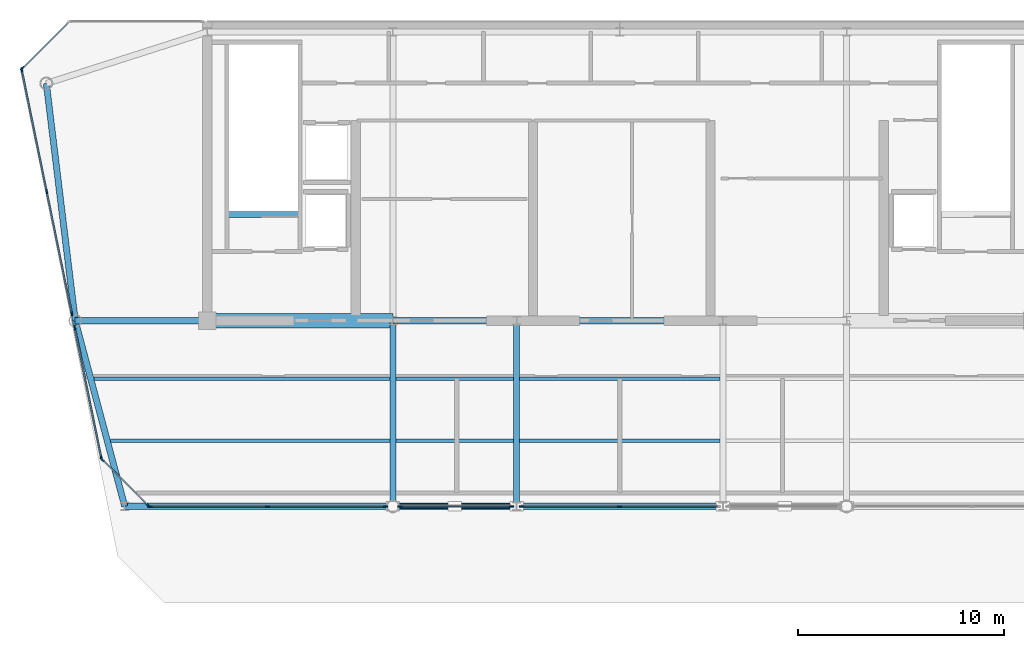
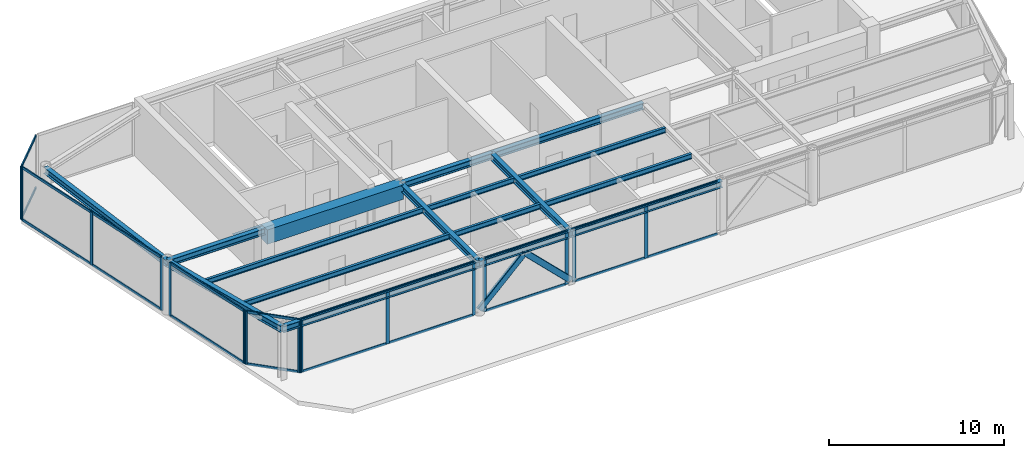
# One storey, part 2 of 7: 37 members, 18 beams, 7 elements without a shape of their own.
"""IFC4 building model written with IfcOpenShell, lengths in metres."""

from ifc_helpers import new_model, si_unit, direction, frame, origin, origin_2d, place, context, subcontext, project, spatial, rectangle, hollow_rectangle, i_section, extrude, source, transform, mapped, material, layer, layer_set, material_profile, profile_set, type_object, element, aggregate, save


model = new_model("IFC4")

# Units and contexts
model_context = context("Model", 3, precision=1e-05, world=origin(), true_north=direction((0.0, 1.0)))
body_context = subcontext(model_context, "Body", "Model", "MODEL_VIEW")
ifc_project = project(units=[si_unit("LENGTHUNIT", "METRE"), si_unit("AREAUNIT", "SQUARE_METRE"), si_unit("VOLUMEUNIT", "CUBIC_METRE"), si_unit("PLANEANGLEUNIT", "RADIAN"), si_unit("MASSUNIT", "GRAM", prefix="KILO")], contexts=[model_context])

# Site, building, storey
site_placement = place(None, origin())
site = spatial("IfcSite", under=ifc_project, at=site_placement, CompositionType="ELEMENT")
building_placement = place(site_placement, origin())
building = spatial("IfcBuilding", under=site, at=building_placement, Name="Vaeldorn Concourse Tower", CompositionType="ELEMENT")
storey_placement = place(building_placement, frame((0.0, 0.0, 312.800048828125)))
storey = spatial("IfcBuildingStorey", under=building, at=storey_placement, Name="L80", CompositionType="ELEMENT", Elevation=312.800048828125)

# Beams
ifc_material_1 = material(Name="Concrete C50/60", Category="concrete")
ifc_material_profile_1 = material_profile(ifc_material_1, rectangle(XDim=0.699951171875, YDim=1.0, at=origin_2d()), Name="RC 700x1000")
ifc_profile_set_1 = profile_set([ifc_material_profile_1], Name="Concrete C50/60")
beam_type_1 = type_object("IfcBeamType", Name="BM-CB-RC700", PredefinedType="BEAM", material=ifc_profile_set_1)
shared_shape_1 = source(origin(), body_context, "Body", "SweptSolid", [
    extrude(rectangle(XDim=0.699951171875, YDim=1.0, at=origin_2d()), origin(), (0.0, 0.0, 1.0), 9.0),
])
beam_1_placement = place(storey_placement, frame((14.0, 36.5, 3.199951171875), z_axis=(1.0, 0.0, 0.0), x_axis=(0.0, 1.0, 0.0)))
element("IfcBeam", 1, at=beam_1_placement, inside=storey, type_object=beam_type_1, Name="Core Coupling Beam L80-1", PredefinedType="BEAM", context=body_context, shape_type="MappedRepresentation", body=[
    mapped(shared_shape_1, transform((0.0, 0.0, 0.0), scale=1.0)),
])
ifc_material_2 = material(Name="Steel S355", Category="steel")
ifc_material_profile_2 = material_profile(ifc_material_2, i_section(OverallWidth=0.300048828125, OverallDepth=0.449951171875, WebThickness=0.013916015625, FlangeThickness=0.02587890625, FilletRadius=0.027099609375, at=origin_2d()), Name="HEB 450")
ifc_profile_set_2 = profile_set([ifc_material_profile_2], Name="Steel S355")
beam_type_2 = type_object("IfcBeamType", Name="BM-PG-HEB450", PredefinedType="BEAM", material=ifc_profile_set_2)
shared_shape_2 = source(origin(), body_context, "Body", "SweptSolid", [
    extrude(i_section(OverallWidth=0.300048828125, OverallDepth=0.449951171875, WebThickness=0.013916015625, FlangeThickness=0.02587890625, FilletRadius=0.027099609375, at=origin_2d()), origin(), (0.0, 0.0, 1.0), 6.0),
])
for number, where, z_axis, x_axis, name in (
    (2, (23.0, 36.5, 3.474853515625), (1.0, 0.0, 0.0), (0.0, 1.0, 0.0), "Beam BM-L80-C-FC2-C-FC3"),
    (3, (23.0, 27.5, 3.474853515625), (1.0, 0.0, 0.0), (0.0, 1.0, 0.0), "Beam BM-L80-C-TW1-C-TW2"),
):
    element("IfcBeam", number, at=place(storey_placement, frame(where, z_axis=z_axis, x_axis=x_axis)), inside=storey, type_object=beam_type_2, Name=name, PredefinedType="BEAM", context=body_context, shape_type="MappedRepresentation", body=[
        mapped(shared_shape_2, transform((0.0, 0.0, 0.0), scale=1.0)),
    ])
shared_shape_3 = source(origin(), body_context, "Body", "SweptSolid", [
    extrude(i_section(OverallWidth=0.300048828125, OverallDepth=0.449951171875, WebThickness=0.013916015625, FlangeThickness=0.02587890625, FilletRadius=0.027099609375, at=origin_2d()), origin(), (0.0, 0.0, 1.0), 10.0),
])
for number, where, z_axis, x_axis, name in (
    (4, (29.0, 36.5, 3.474853515625), (1.0, 0.0, 0.0), (0.0, 1.0, 0.0), "Beam BM-L80-C-FC3-C-FC4"),
    (5, (29.0, 27.5, 3.474853515625), (1.0, 0.0, 0.0), (0.0, 1.0, 0.0), "Beam BM-L80-C-TW2-C-TW3"),
):
    element("IfcBeam", number, at=place(storey_placement, frame(where, z_axis=z_axis, x_axis=x_axis)), inside=storey, type_object=beam_type_2, Name=name, PredefinedType="BEAM", context=body_context, shape_type="MappedRepresentation", body=[
        mapped(shared_shape_3, transform((0.0, 0.0, 0.0), scale=1.0)),
    ])
ifc_material_profile_3 = material_profile(ifc_material_2, i_section(OverallWidth=0.300048828125, OverallDepth=0.340087890625, WebThickness=0.011962890625, FlangeThickness=0.021484375, FilletRadius=0.027099609375, at=origin_2d()), Name="HEB 340")
ifc_profile_set_3 = profile_set([ifc_material_profile_3], Name="Steel S355")
beam_type_3 = type_object("IfcBeamType", Name="BM-ST-TRIM", PredefinedType="BEAM", material=ifc_profile_set_3)
shared_shape_4 = source(origin(), body_context, "Body", "SweptSolid", [
    extrude(i_section(OverallWidth=0.300048828125, OverallDepth=0.340087890625, WebThickness=0.011962890625, FlangeThickness=0.021484375, FilletRadius=0.027099609375, at=origin_2d()), origin(), (0.0, 0.0, 1.0), 3.590087890625),
])
beam_2_placement = place(storey_placement, frame((14.929931640625, 41.639892578125, -0.469970703125), z_axis=(1.0, 0.0, 0.0), x_axis=(0.0, 1.0, 0.0)))
element("IfcBeam", 6, at=beam_2_placement, inside=storey, type_object=beam_type_3, Name="Stair Landing Trimmer Beam ST-1 L80", PredefinedType="BEAM", context=body_context, shape_type="MappedRepresentation", body=[
    mapped(shared_shape_4, transform((0.0, 0.0, 0.0), scale=1.0)),
])
ifc_material_profile_4 = material_profile(ifc_material_2, i_section(OverallWidth=0.169921875, OverallDepth=0.360107421875, WebThickness=0.008056640625, FlangeThickness=0.0126953125, FilletRadius=0.01806640625, at=origin_2d()), Name="IPE 360")
ifc_profile_set_4 = profile_set([ifc_material_profile_4], Name="Steel S355")
beam_type_4 = type_object("IfcBeamType", Name="BM-JS-IPE360", PredefinedType="JOIST", material=ifc_profile_set_4)
shared_shape_5 = source(origin(), body_context, "Body", "SweptSolid", [
    extrude(i_section(OverallWidth=0.169921875, OverallDepth=0.360107421875, WebThickness=0.008056640625, FlangeThickness=0.0126953125, FilletRadius=0.01806640625, at=origin_2d()), origin(), (0.0, 0.0, 1.0), 5.7001953125),
])
for number, where, z_axis, x_axis, name in (
    (7, (23.14990234375, 30.679931640625, 3.52001953125), (1.0, 0.0, 0.0), (0.0, 1.0, 0.0), "Beam JS-L80-W2-306"),
    (8, (23.14990234375, 33.679931640625, 3.52001953125), (1.0, 0.0, 0.0), (0.0, 1.0, 0.0), "Beam JS-L80-W2-336"),
):
    element("IfcBeam", number, at=place(storey_placement, frame(where, z_axis=z_axis, x_axis=x_axis)), inside=storey, type_object=beam_type_4, Name=name, PredefinedType="JOIST", context=body_context, shape_type="MappedRepresentation", body=[
        mapped(shared_shape_5, transform((0.0, 0.0, 0.0), scale=1.0)),
    ])
shared_shape_6 = source(origin(), body_context, "Body", "SweptSolid", [
    extrude(i_section(OverallWidth=0.169921875, OverallDepth=0.360107421875, WebThickness=0.008056640625, FlangeThickness=0.0126953125, FilletRadius=0.01806640625, at=origin_2d()), origin(), (0.0, 0.0, 1.0), 9.7001953125),
])
for number, where, z_axis, x_axis, name in (
    (9, (29.14990234375, 30.679931640625, 3.52001953125), (1.0, 0.0, 0.0), (0.0, 1.0, 0.0), "Beam JS-L80-C-306"),
    (10, (29.14990234375, 33.679931640625, 3.52001953125), (1.0, 0.0, 0.0), (0.0, 1.0, 0.0), "Beam JS-L80-C-336"),
):
    element("IfcBeam", number, at=place(storey_placement, frame(where, z_axis=z_axis, x_axis=x_axis)), inside=storey, type_object=beam_type_4, Name=name, PredefinedType="JOIST", context=body_context, shape_type="MappedRepresentation", body=[
        mapped(shared_shape_6, transform((0.0, 0.0, 0.0), scale=1.0)),
    ])
shared_shape_7 = source(origin(), body_context, "Body", "SweptSolid", [
    extrude(i_section(OverallWidth=0.169921875, OverallDepth=0.360107421875, WebThickness=0.008056640625, FlangeThickness=0.0126953125, FilletRadius=0.01806640625, at=origin_2d()), origin(), (0.0, 0.0, 1.0), 13.548095703125),
])
beam_3_placement = place(storey_placement, frame((9.302001953125, 30.679931640625, 3.52001953125), z_axis=(1.0, 0.0, 0.0), x_axis=(0.0, 1.0, 0.0)))
element("IfcBeam", 11, at=beam_3_placement, inside=storey, type_object=beam_type_4, Name="Beam JS-L80-W1-306", PredefinedType="JOIST", context=body_context, shape_type="MappedRepresentation", body=[
    mapped(shared_shape_7, transform((0.0, 0.0, 0.0), scale=1.0)),
])
shared_shape_8 = source(origin(), body_context, "Body", "SweptSolid", [
    extrude(i_section(OverallWidth=0.169921875, OverallDepth=0.360107421875, WebThickness=0.008056640625, FlangeThickness=0.0126953125, FilletRadius=0.01806640625, at=origin_2d()), origin(), (0.0, 0.0, 1.0), 14.34814453125),
])
beam_4_placement = place(storey_placement, frame((8.501953125, 33.679931640625, 3.52001953125), z_axis=(1.0, 0.0, 0.0), x_axis=(0.0, 1.0, 0.0)))
element("IfcBeam", 12, at=beam_4_placement, inside=storey, type_object=beam_type_4, Name="Beam JS-L80-W1-336", PredefinedType="JOIST", context=body_context, shape_type="MappedRepresentation", body=[
    mapped(shared_shape_8, transform((0.0, 0.0, 0.0), scale=1.0)),
])
shared_shape_9 = source(origin(), body_context, "Body", "SweptSolid", [
    extrude(i_section(OverallWidth=0.300048828125, OverallDepth=0.449951171875, WebThickness=0.013916015625, FlangeThickness=0.02587890625, FilletRadius=0.027099609375, at=origin_2d()), origin(), (0.0, 0.0, 1.0), 9.0),
])
for number, where, z_axis, x_axis, name in (
    (13, (23.0, 27.5, 3.474853515625), (0.0, 1.0, 0.0), (-1.0, 0.0, 0.0), "Beam BM-L80-C-TW1-C-FC2"),
    (14, (29.0, 27.5, 3.474853515625), (0.0, 1.0, 0.0), (-1.0, 0.0, 0.0), "Beam BM-L80-C-TW2-C-FC3"),
):
    element("IfcBeam", number, at=place(storey_placement, frame(where, z_axis=z_axis, x_axis=x_axis)), inside=storey, type_object=beam_type_2, Name=name, PredefinedType="BEAM", context=body_context, shape_type="MappedRepresentation", body=[
        mapped(shared_shape_9, transform((0.0, 0.0, 0.0), scale=1.0)),
    ])
shared_shape_10 = source(origin(), body_context, "Body", "SweptSolid", [
    extrude(i_section(OverallWidth=0.300048828125, OverallDepth=0.449951171875, WebThickness=0.013916015625, FlangeThickness=0.02587890625, FilletRadius=0.027099609375, at=origin_2d()), origin(), (0.0, 0.0, 1.0), 11.5849609375),
])
beam_5_placement = place(storey_placement, frame((6.199951171875, 48.0, 3.474853515625), z_axis=(0.120859382899, -0.992669637677, 0.0), x_axis=(0.992669637677, 0.120859382899, 0.0)))
element("IfcBeam", 15, at=beam_5_placement, inside=storey, type_object=beam_type_2, Name="Beam BM-L80-C-NW1-C-NW2", PredefinedType="BEAM", context=body_context, shape_type="MappedRepresentation", body=[
    mapped(shared_shape_10, transform((0.0, 0.0, 0.0), scale=1.0)),
])
shared_shape_11 = source(origin(), body_context, "Body", "SweptSolid", [
    extrude(i_section(OverallWidth=0.300048828125, OverallDepth=0.449951171875, WebThickness=0.013916015625, FlangeThickness=0.02587890625, FilletRadius=0.027099609375, at=origin_2d()), origin(), (0.0, 0.0, 1.0), 6.39990234375),
])
beam_6_placement = place(storey_placement, frame((7.60009765625, 36.5, 3.474853515625), z_axis=(1.0, 0.0, 0.0), x_axis=(0.0, 1.0, 0.0)))
element("IfcBeam", 16, at=beam_6_placement, inside=storey, type_object=beam_type_2, Name="Beam BM-L80-C-NW2-C-FC1", PredefinedType="BEAM", context=body_context, shape_type="MappedRepresentation", body=[
    mapped(shared_shape_11, transform((0.0, 0.0, 0.0), scale=1.0)),
])
shared_shape_12 = source(origin(), body_context, "Body", "SweptSolid", [
    extrude(i_section(OverallWidth=0.300048828125, OverallDepth=0.449951171875, WebThickness=0.013916015625, FlangeThickness=0.02587890625, FilletRadius=0.027099609375, at=origin_2d()), origin(), (0.0, 0.0, 1.0), 9.314453125),
])
beam_7_placement = place(storey_placement, frame((7.60009765625, 36.5, 3.474853515625), z_axis=(0.257652862255, -0.966237549763, 0.0), x_axis=(0.966237549763, 0.257652862255, 0.0)))
element("IfcBeam", 17, at=beam_7_placement, inside=storey, type_object=beam_type_2, Name="Beam BM-L80-C-NW2-C-FLW1", PredefinedType="BEAM", context=body_context, shape_type="MappedRepresentation", body=[
    mapped(shared_shape_12, transform((0.0, 0.0, 0.0), scale=1.0)),
])
shared_shape_13 = source(origin(), body_context, "Body", "SweptSolid", [
    extrude(i_section(OverallWidth=0.300048828125, OverallDepth=0.449951171875, WebThickness=0.013916015625, FlangeThickness=0.02587890625, FilletRadius=0.027099609375, at=origin_2d()), origin(), (0.0, 0.0, 1.0), 13.0),
])
beam_8_placement = place(storey_placement, frame((10.0, 27.5, 3.474853515625), z_axis=(1.0, 0.0, 0.0), x_axis=(0.0, 1.0, 0.0)))
element("IfcBeam", 18, at=beam_8_placement, inside=storey, type_object=beam_type_2, Name="Beam BM-L80-C-FLW1-C-TW1", PredefinedType="BEAM", context=body_context, shape_type="MappedRepresentation", body=[
    mapped(shared_shape_13, transform((0.0, 0.0, 0.0), scale=1.0)),
])

# Members
ifc_material_profile_5 = material_profile(ifc_material_2, hollow_rectangle(XDim=0.199951171875, YDim=0.39990234375, WallThickness=0.01611328125, InnerFilletRadius=0.01611328125, OuterFilletRadius=0.031982421875, at=origin_2d()), Name="RHS 400x200x16")
ifc_profile_set_5 = profile_set([ifc_material_profile_5], Name="Steel S355")
member_type_1 = type_object("IfcMemberType", Name="MB-CRN-STRUT", PredefinedType="STRUT", material=ifc_profile_set_5)
shared_shape_14 = source(origin(), body_context, "Body", "SweptSolid", [
    extrude(hollow_rectangle(XDim=0.199951171875, YDim=0.39990234375, WallThickness=0.01611328125, InnerFilletRadius=0.01611328125, OuterFilletRadius=0.031982421875, at=origin_2d()), origin(), (0.0, 0.0, 1.0), 4.20751953125),
])
for number, where, z_axis, x_axis, name in (
    (19, (23.0, 27.5, 0.25), (0.713029481615, 0.0, 0.701134051624), (0.0, 1.0, 0.0), "Crown Frame Brace Strut L80-1A"),
    (20, (29.0, 27.5, 0.25), (-0.713029481615, 0.0, 0.701134051624), (0.0, -1.0, 0.0), "Crown Frame Brace Strut L80-1B"),
):
    element("IfcMember", number, at=place(storey_placement, frame(where, z_axis=z_axis, x_axis=x_axis)), inside=storey, type_object=member_type_1, Name=name, PredefinedType="STRUT", context=body_context, shape_type="MappedRepresentation", body=[
        mapped(shared_shape_14, transform((0.0, 0.0, 0.0), scale=1.0)),
    ])

# Curtain wall, members
ifc_material_3 = material(Name="Anodised Bronze Aluminium", Category="aluminium")
ifc_layer = layer(ifc_material_3, 0.22998046875)
ifc_layer_set = layer_set([ifc_layer], Name="Anodised Bronze Aluminium")
curtain_wall_type = type_object("IfcCurtainWallType", Name="CW-SYS-07", PredefinedType="NOTDEFINED", material=ifc_layer_set)
curtain_wall_1_placement = place(storey_placement, origin())
curtain_wall_1 = element("IfcCurtainWall", 21, at=curtain_wall_1_placement, inside=storey, type_object=curtain_wall_type, Name="Unitised Curtain Wall CW-L80-E06-1", PredefinedType="NOTDEFINED")
ifc_material_profile_6 = material_profile(ifc_material_3, rectangle(XDim=0.074951171875, YDim=0.179931640625, at=origin_2d()), Name="CWT 75x180")
ifc_profile_set_6 = profile_set([ifc_material_profile_6], Name="Anodised Bronze Aluminium")
member_type_2 = type_object("IfcMemberType", Name="CWT-BRONZE-180", PredefinedType="USERDEFINED", material=ifc_profile_set_6)
shared_shape_15 = source(origin(), body_context, "Body", "SweptSolid", [
    extrude(rectangle(XDim=0.074951171875, YDim=0.179931640625, at=origin_2d()), origin(), (0.0, 0.0, 1.0), 3.10302734375),
])
member_1_placement = place(storey_placement, frame((7.2470703125, 50.947021484375, 0.037353515625), z_axis=(-0.707106781187, -0.707106781187, 0.0), x_axis=(0.707106781187, -0.707106781187, 0.0)))
member_1 = element("IfcMember", 22, at=member_1_placement, type_object=member_type_2, Name="CW-07 transom 1.1", ObjectType="TRANSOM", PredefinedType="USERDEFINED", context=body_context, shape_type="MappedRepresentation", body=[
    mapped(shared_shape_15, transform((0.0, 0.0, 0.0), scale=1.0)),
])
member_2_placement = place(storey_placement, frame((7.2470703125, 50.947021484375, 3.662353515625), z_axis=(-0.707106781187, -0.707106781187, 0.0), x_axis=(0.707106781187, -0.707106781187, 0.0)))
member_2 = element("IfcMember", 23, at=member_2_placement, type_object=member_type_2, Name="CW-07 transom 1.2", ObjectType="TRANSOM", PredefinedType="USERDEFINED", context=body_context, shape_type="MappedRepresentation", body=[
    mapped(shared_shape_15, transform((0.0, 0.0, 0.0), scale=1.0)),
])

curtain_wall_2_placement = place(storey_placement, origin())
curtain_wall_2 = element("IfcCurtainWall", 24, at=curtain_wall_2_placement, inside=storey, type_object=curtain_wall_type, Name="Unitised Curtain Wall CW-L80-E08-1", PredefinedType="NOTDEFINED")
member_3_placement = place(storey_placement, frame((8.930419921875, 29.7470703125, 0.037353515625), z_axis=(0.707106781187, -0.707106781187, 0.0), x_axis=(0.707106781187, 0.707106781187, 0.0)))
member_3 = element("IfcMember", 25, at=member_3_placement, type_object=member_type_2, Name="CW-07 transom 1.1", ObjectType="TRANSOM", PredefinedType="USERDEFINED", context=body_context, shape_type="MappedRepresentation", body=[
    mapped(shared_shape_15, transform((0.0, 0.0, 0.0), scale=1.0)),
])
member_4_placement = place(storey_placement, frame((8.930419921875, 29.7470703125, 3.662353515625), z_axis=(0.707106781187, -0.707106781187, 0.0), x_axis=(0.707106781187, 0.707106781187, 0.0)))
member_4 = element("IfcMember", 26, at=member_4_placement, type_object=member_type_2, Name="CW-07 transom 1.2", ObjectType="TRANSOM", PredefinedType="USERDEFINED", context=body_context, shape_type="MappedRepresentation", body=[
    mapped(shared_shape_15, transform((0.0, 0.0, 0.0), scale=1.0)),
])

curtain_wall_3_placement = place(storey_placement, origin())
curtain_wall_3 = element("IfcCurtainWall", 27, at=curtain_wall_3_placement, inside=storey, type_object=curtain_wall_type, Name="Unitised Curtain Wall CW-L80-E01-1", PredefinedType="NOTDEFINED")
ifc_material_profile_7 = material_profile(ifc_material_3, rectangle(XDim=0.074951171875, YDim=0.219970703125, at=origin_2d()), Name="CWM 75x220")
ifc_profile_set_7 = profile_set([ifc_material_profile_7], Name="Anodised Bronze Aluminium")
member_type_3 = type_object("IfcMemberType", Name="CWM-BRONZE-220", PredefinedType="MULLION", material=ifc_profile_set_7)
shared_shape_16 = source(origin(), body_context, "Body", "SweptSolid", [
    extrude(rectangle(XDim=0.074951171875, YDim=0.219970703125, at=origin_2d()), origin(), (0.0, 0.0, 1.0), 3.699951171875),
])
member_5_placement = place(storey_placement, frame((11.215087890625, 27.5, 0.0), z_axis=(0.0, 0.0, 1.0), x_axis=(0.0, 1.0, 0.0)))
member_5 = element("IfcMember", 28, at=member_5_placement, type_object=member_type_3, Name="CW-07 mullion 1", PredefinedType="MULLION", context=body_context, shape_type="MappedRepresentation", body=[
    mapped(shared_shape_16, transform((0.0, 0.0, 0.0), scale=1.0)),
])
member_6_placement = place(storey_placement, frame((16.93115234375, 27.5, 0.0), z_axis=(0.0, 0.0, 1.0), x_axis=(0.0, 1.0, 0.0)))
member_6 = element("IfcMember", 29, at=member_6_placement, type_object=member_type_3, Name="CW-07 mullion 2", PredefinedType="MULLION", context=body_context, shape_type="MappedRepresentation", body=[
    mapped(shared_shape_16, transform((0.0, 0.0, 0.0), scale=1.0)),
])
member_7_placement = place(storey_placement, frame((22.6474609375, 27.5, 0.0), z_axis=(0.0, 0.0, 1.0), x_axis=(0.0, 1.0, 0.0)))
member_7 = element("IfcMember", 30, at=member_7_placement, type_object=member_type_3, Name="CW-07 mullion 3", PredefinedType="MULLION", context=body_context, shape_type="MappedRepresentation", body=[
    mapped(shared_shape_16, transform((0.0, 0.0, 0.0), scale=1.0)),
])

curtain_wall_4_placement = place(storey_placement, origin())
curtain_wall_4 = element("IfcCurtainWall", 31, at=curtain_wall_4_placement, inside=storey, type_object=curtain_wall_type, Name="Unitised Curtain Wall CW-L80-E01-2", PredefinedType="NOTDEFINED")
member_8_placement = place(storey_placement, frame((23.3525390625, 27.5, 0.0), z_axis=(0.0, 0.0, 1.0), x_axis=(0.0, 1.0, 0.0)))
member_8 = element("IfcMember", 32, at=member_8_placement, type_object=member_type_3, Name="CW-07 mullion 1", PredefinedType="MULLION", context=body_context, shape_type="MappedRepresentation", body=[
    mapped(shared_shape_16, transform((0.0, 0.0, 0.0), scale=1.0)),
])
member_9_placement = place(storey_placement, frame((28.75341796875, 27.5, 0.0), z_axis=(0.0, 0.0, 1.0), x_axis=(0.0, 1.0, 0.0)))
member_9 = element("IfcMember", 33, at=member_9_placement, type_object=member_type_3, Name="CW-07 mullion 2", PredefinedType="MULLION", context=body_context, shape_type="MappedRepresentation", body=[
    mapped(shared_shape_16, transform((0.0, 0.0, 0.0), scale=1.0)),
])

curtain_wall_5_placement = place(storey_placement, origin())
curtain_wall_5 = element("IfcCurtainWall", 34, at=curtain_wall_5_placement, inside=storey, type_object=curtain_wall_type, Name="Unitised Curtain Wall CW-L80-E01-3", PredefinedType="NOTDEFINED")
member_10_placement = place(storey_placement, frame((29.24658203125, 27.5, 0.0), z_axis=(0.0, 0.0, 1.0), x_axis=(0.0, 1.0, 0.0)))
member_10 = element("IfcMember", 35, at=member_10_placement, type_object=member_type_3, Name="CW-07 mullion 1", PredefinedType="MULLION", context=body_context, shape_type="MappedRepresentation", body=[
    mapped(shared_shape_16, transform((0.0, 0.0, 0.0), scale=1.0)),
])
member_11_placement = place(storey_placement, frame((34.0, 27.5, 0.0), z_axis=(0.0, 0.0, 1.0), x_axis=(0.0, 1.0, 0.0)))
member_11 = element("IfcMember", 36, at=member_11_placement, type_object=member_type_3, Name="CW-07 mullion 2", PredefinedType="MULLION", context=body_context, shape_type="MappedRepresentation", body=[
    mapped(shared_shape_16, transform((0.0, 0.0, 0.0), scale=1.0)),
])

# Member
member_12_placement = place(storey_placement, frame((5.026611328125, 48.7265625, 0.0), z_axis=(0.0, 0.0, 1.0), x_axis=(0.707106781187, -0.707106781187, 0.0)))
member_12 = element("IfcMember", 37, at=member_12_placement, type_object=member_type_3, Name="CW-07 mullion 2", PredefinedType="MULLION", context=body_context, shape_type="MappedRepresentation", body=[
    mapped(shared_shape_16, transform((0.0, 0.0, 0.0), scale=1.0)),
])

aggregate(curtain_wall_1, [member_12, member_1, member_2])

# Curtain wall, members
curtain_wall_6_placement = place(storey_placement, origin())
curtain_wall_6 = element("IfcCurtainWall", 38, at=curtain_wall_6_placement, inside=storey, type_object=curtain_wall_type, Name="Unitised Curtain Wall CW-L80-E07-1", PredefinedType="NOTDEFINED")
member_13_placement = place(storey_placement, frame((5.007568359375, 48.663330078125, 0.0), z_axis=(0.0, 0.0, 1.0), x_axis=(0.979597000842, 0.20097192824, 0.0)))
member_13 = element("IfcMember", 39, at=member_13_placement, type_object=member_type_3, Name="CW-07 mullion 1", PredefinedType="MULLION", context=body_context, shape_type="MappedRepresentation", body=[
    mapped(shared_shape_16, transform((0.0, 0.0, 0.0), scale=1.0)),
])
member_14_placement = place(storey_placement, frame((6.21923828125, 42.757568359375, 0.0), z_axis=(0.0, 0.0, 1.0), x_axis=(0.979597000842, 0.20097192824, 0.0)))
member_14 = element("IfcMember", 40, at=member_14_placement, type_object=member_type_3, Name="CW-07 mullion 2", PredefinedType="MULLION", context=body_context, shape_type="MappedRepresentation", body=[
    mapped(shared_shape_16, transform((0.0, 0.0, 0.0), scale=1.0)),
])
member_15_placement = place(storey_placement, frame((7.4306640625, 36.851806640625, 0.0), z_axis=(0.0, 0.0, 1.0), x_axis=(0.979597000842, 0.20097192824, 0.0)))
member_15 = element("IfcMember", 41, at=member_15_placement, type_object=member_type_3, Name="CW-07 mullion 3", PredefinedType="MULLION", context=body_context, shape_type="MappedRepresentation", body=[
    mapped(shared_shape_16, transform((0.0, 0.0, 0.0), scale=1.0)),
])

curtain_wall_7_placement = place(storey_placement, origin())
curtain_wall_7 = element("IfcCurtainWall", 42, at=curtain_wall_7_placement, inside=storey, type_object=curtain_wall_type, Name="Unitised Curtain Wall CW-L80-E07-2", PredefinedType="NOTDEFINED")
member_16_placement = place(storey_placement, frame((7.5751953125, 36.148193359375, 0.0), z_axis=(0.0, 0.0, 1.0), x_axis=(0.979597976721, 0.200967171457, 0.0)))
member_16 = element("IfcMember", 43, at=member_16_placement, type_object=member_type_3, Name="CW-07 mullion 1", PredefinedType="MULLION", context=body_context, shape_type="MappedRepresentation", body=[
    mapped(shared_shape_16, transform((0.0, 0.0, 0.0), scale=1.0)),
])
member_17_placement = place(storey_placement, frame((8.869873046875, 29.836669921875, 0.0), z_axis=(0.0, 0.0, 1.0), x_axis=(0.979597976721, 0.200967171457, 0.0)))
member_17 = element("IfcMember", 44, at=member_17_placement, type_object=member_type_3, Name="CW-07 mullion 2", PredefinedType="MULLION", context=body_context, shape_type="MappedRepresentation", body=[
    mapped(shared_shape_16, transform((0.0, 0.0, 0.0), scale=1.0)),
])

# Member
member_18_placement = place(storey_placement, frame((8.904052734375, 29.7734375, 0.0), z_axis=(0.0, 0.0, 1.0), x_axis=(0.707106781187, 0.707106781187, 0.0)))
member_18 = element("IfcMember", 45, at=member_18_placement, type_object=member_type_3, Name="CW-07 mullion 1", PredefinedType="MULLION", context=body_context, shape_type="MappedRepresentation", body=[
    mapped(shared_shape_16, transform((0.0, 0.0, 0.0), scale=1.0)),
])

member_19_placement = place(storey_placement, frame((11.15087890625, 27.526611328125, 0.0), z_axis=(0.0, 0.0, 1.0), x_axis=(0.707106781187, 0.707106781187, 0.0)))
member_19 = element("IfcMember", 46, at=member_19_placement, type_object=member_type_3, Name="CW-07 mullion 2", PredefinedType="MULLION", context=body_context, shape_type="MappedRepresentation", body=[
    mapped(shared_shape_16, transform((0.0, 0.0, 0.0), scale=1.0)),
])

aggregate(curtain_wall_2, [member_18, member_19, member_3, member_4])

shared_shape_17 = source(origin(), body_context, "Body", "SweptSolid", [
    extrude(rectangle(XDim=0.074951171875, YDim=0.179931640625, at=origin_2d()), origin(), (0.0, 0.0, 1.0), 5.641357421875),
])
member_20_placement = place(storey_placement, frame((11.25244140625, 27.5, 0.037353515625), z_axis=(1.0, 0.0, 0.0), x_axis=(0.0, 1.0, 0.0)))
member_20 = element("IfcMember", 47, at=member_20_placement, type_object=member_type_2, Name="CW-07 transom 1.1", ObjectType="TRANSOM", PredefinedType="USERDEFINED", context=body_context, shape_type="MappedRepresentation", body=[
    mapped(shared_shape_17, transform((0.0, 0.0, 0.0), scale=1.0)),
])

member_21_placement = place(storey_placement, frame((11.25244140625, 27.5, 3.662353515625), z_axis=(1.0, 0.0, 0.0), x_axis=(0.0, 1.0, 0.0)))
member_21 = element("IfcMember", 48, at=member_21_placement, type_object=member_type_2, Name="CW-07 transom 1.2", ObjectType="TRANSOM", PredefinedType="USERDEFINED", context=body_context, shape_type="MappedRepresentation", body=[
    mapped(shared_shape_17, transform((0.0, 0.0, 0.0), scale=1.0)),
])

member_22_placement = place(storey_placement, frame((16.96875, 27.5, 0.037353515625), z_axis=(1.0, 0.0, 0.0), x_axis=(0.0, 1.0, 0.0)))
member_22 = element("IfcMember", 49, at=member_22_placement, type_object=member_type_2, Name="CW-07 transom 2.1", ObjectType="TRANSOM", PredefinedType="USERDEFINED", context=body_context, shape_type="MappedRepresentation", body=[
    mapped(shared_shape_17, transform((0.0, 0.0, 0.0), scale=1.0)),
])

member_23_placement = place(storey_placement, frame((16.96875, 27.5, 3.662353515625), z_axis=(1.0, 0.0, 0.0), x_axis=(0.0, 1.0, 0.0)))
member_23 = element("IfcMember", 50, at=member_23_placement, type_object=member_type_2, Name="CW-07 transom 2.2", ObjectType="TRANSOM", PredefinedType="USERDEFINED", context=body_context, shape_type="MappedRepresentation", body=[
    mapped(shared_shape_17, transform((0.0, 0.0, 0.0), scale=1.0)),
])

aggregate(curtain_wall_3, [member_5, member_6, member_7, member_20, member_21, member_22, member_23])

shared_shape_18 = source(origin(), body_context, "Body", "SweptSolid", [
    extrude(rectangle(XDim=0.074951171875, YDim=0.179931640625, at=origin_2d()), origin(), (0.0, 0.0, 1.0), 5.326171875),
])
member_24_placement = place(storey_placement, frame((23.389892578125, 27.5, 0.037353515625), z_axis=(1.0, 0.0, 0.0), x_axis=(0.0, 1.0, 0.0)))
member_24 = element("IfcMember", 51, at=member_24_placement, type_object=member_type_2, Name="CW-07 transom 1.1", ObjectType="TRANSOM", PredefinedType="USERDEFINED", context=body_context, shape_type="MappedRepresentation", body=[
    mapped(shared_shape_18, transform((0.0, 0.0, 0.0), scale=1.0)),
])

member_25_placement = place(storey_placement, frame((23.389892578125, 27.5, 3.662353515625), z_axis=(1.0, 0.0, 0.0), x_axis=(0.0, 1.0, 0.0)))
member_25 = element("IfcMember", 52, at=member_25_placement, type_object=member_type_2, Name="CW-07 transom 1.2", ObjectType="TRANSOM", PredefinedType="USERDEFINED", context=body_context, shape_type="MappedRepresentation", body=[
    mapped(shared_shape_18, transform((0.0, 0.0, 0.0), scale=1.0)),
])

aggregate(curtain_wall_4, [member_8, member_9, member_24, member_25])

shared_shape_19 = source(origin(), body_context, "Body", "SweptSolid", [
    extrude(rectangle(XDim=0.074951171875, YDim=0.179931640625, at=origin_2d()), origin(), (0.0, 0.0, 1.0), 4.678466796875),
])
member_26_placement = place(storey_placement, frame((29.283935546875, 27.5, 0.037353515625), z_axis=(1.0, 0.0, 0.0), x_axis=(0.0, 1.0, 0.0)))
member_26 = element("IfcMember", 53, at=member_26_placement, type_object=member_type_2, Name="CW-07 transom 1.1", ObjectType="TRANSOM", PredefinedType="USERDEFINED", context=body_context, shape_type="MappedRepresentation", body=[
    mapped(shared_shape_19, transform((0.0, 0.0, 0.0), scale=1.0)),
])

member_27_placement = place(storey_placement, frame((29.283935546875, 27.5, 3.662353515625), z_axis=(1.0, 0.0, 0.0), x_axis=(0.0, 1.0, 0.0)))
member_27 = element("IfcMember", 54, at=member_27_placement, type_object=member_type_2, Name="CW-07 transom 1.2", ObjectType="TRANSOM", PredefinedType="USERDEFINED", context=body_context, shape_type="MappedRepresentation", body=[
    mapped(shared_shape_19, transform((0.0, 0.0, 0.0), scale=1.0)),
])

member_28_placement = place(storey_placement, frame((34.03759765625, 27.5, 0.037353515625), z_axis=(1.0, 0.0, 0.0), x_axis=(0.0, 1.0, 0.0)))
member_28 = element("IfcMember", 55, at=member_28_placement, type_object=member_type_2, Name="CW-07 transom 2.1", ObjectType="TRANSOM", PredefinedType="USERDEFINED", context=body_context, shape_type="MappedRepresentation", body=[
    mapped(shared_shape_19, transform((0.0, 0.0, 0.0), scale=1.0)),
])

member_29_placement = place(storey_placement, frame((34.03759765625, 27.5, 3.662353515625), z_axis=(1.0, 0.0, 0.0), x_axis=(0.0, 1.0, 0.0)))
member_29 = element("IfcMember", 56, at=member_29_placement, type_object=member_type_2, Name="CW-07 transom 2.2", ObjectType="TRANSOM", PredefinedType="USERDEFINED", context=body_context, shape_type="MappedRepresentation", body=[
    mapped(shared_shape_19, transform((0.0, 0.0, 0.0), scale=1.0)),
])

aggregate(curtain_wall_5, [member_10, member_11, member_26, member_27, member_28, member_29])

shared_shape_20 = source(origin(), body_context, "Body", "SweptSolid", [
    extrude(rectangle(XDim=0.074951171875, YDim=0.179931640625, at=origin_2d()), origin(), (0.0, 0.0, 1.0), 6.367919921875),
])
member_30_placement = place(storey_placement, frame((7.582763671875, 36.111572265625, 0.037353515625), z_axis=(0.200972444267, -0.979596894975, 0.0), x_axis=(0.979596894975, 0.200972444267, 0.0)))
member_30 = element("IfcMember", 57, at=member_30_placement, type_object=member_type_2, Name="CW-07 transom 1.1", ObjectType="TRANSOM", PredefinedType="USERDEFINED", context=body_context, shape_type="MappedRepresentation", body=[
    mapped(shared_shape_20, transform((0.0, 0.0, 0.0), scale=1.0)),
])

member_31_placement = place(storey_placement, frame((7.582763671875, 36.111572265625, 3.662353515625), z_axis=(0.200972444267, -0.979596894975, 0.0), x_axis=(0.979596894975, 0.200972444267, 0.0)))
member_31 = element("IfcMember", 58, at=member_31_placement, type_object=member_type_2, Name="CW-07 transom 1.2", ObjectType="TRANSOM", PredefinedType="USERDEFINED", context=body_context, shape_type="MappedRepresentation", body=[
    mapped(shared_shape_20, transform((0.0, 0.0, 0.0), scale=1.0)),
])

aggregate(curtain_wall_7, [member_16, member_17, member_30, member_31])

shared_shape_21 = source(origin(), body_context, "Body", "SweptSolid", [
    extrude(rectangle(XDim=0.074951171875, YDim=0.179931640625, at=origin_2d()), origin(), (0.0, 0.0, 1.0), 5.953857421875),
])
member_32_placement = place(storey_placement, frame((5.01513671875, 48.62646484375, 0.037353515625), z_axis=(0.200971386248, -0.979597112036, 0.0), x_axis=(0.979597112036, 0.200971386248, 0.0)))
member_32 = element("IfcMember", 59, at=member_32_placement, type_object=member_type_2, Name="CW-07 transom 1.1", ObjectType="TRANSOM", PredefinedType="USERDEFINED", context=body_context, shape_type="MappedRepresentation", body=[
    mapped(shared_shape_21, transform((0.0, 0.0, 0.0), scale=1.0)),
])

member_33_placement = place(storey_placement, frame((5.01513671875, 48.62646484375, 3.662353515625), z_axis=(0.200971386248, -0.979597112036, 0.0), x_axis=(0.979597112036, 0.200971386248, 0.0)))
member_33 = element("IfcMember", 60, at=member_33_placement, type_object=member_type_2, Name="CW-07 transom 1.2", ObjectType="TRANSOM", PredefinedType="USERDEFINED", context=body_context, shape_type="MappedRepresentation", body=[
    mapped(shared_shape_21, transform((0.0, 0.0, 0.0), scale=1.0)),
])

member_34_placement = place(storey_placement, frame((6.226806640625, 42.720703125, 0.037353515625), z_axis=(0.200971386248, -0.979597112036, 0.0), x_axis=(0.979597112036, 0.200971386248, 0.0)))
member_34 = element("IfcMember", 61, at=member_34_placement, type_object=member_type_2, Name="CW-07 transom 2.1", ObjectType="TRANSOM", PredefinedType="USERDEFINED", context=body_context, shape_type="MappedRepresentation", body=[
    mapped(shared_shape_21, transform((0.0, 0.0, 0.0), scale=1.0)),
])

member_35_placement = place(storey_placement, frame((6.226806640625, 42.720703125, 3.662353515625), z_axis=(0.200971386248, -0.979597112036, 0.0), x_axis=(0.979597112036, 0.200971386248, 0.0)))
member_35 = element("IfcMember", 62, at=member_35_placement, type_object=member_type_2, Name="CW-07 transom 2.2", ObjectType="TRANSOM", PredefinedType="USERDEFINED", context=body_context, shape_type="MappedRepresentation", body=[
    mapped(shared_shape_21, transform((0.0, 0.0, 0.0), scale=1.0)),
])

aggregate(curtain_wall_6, [member_13, member_14, member_15, member_32, member_33, member_34, member_35])

save(model, "model.ifc")
